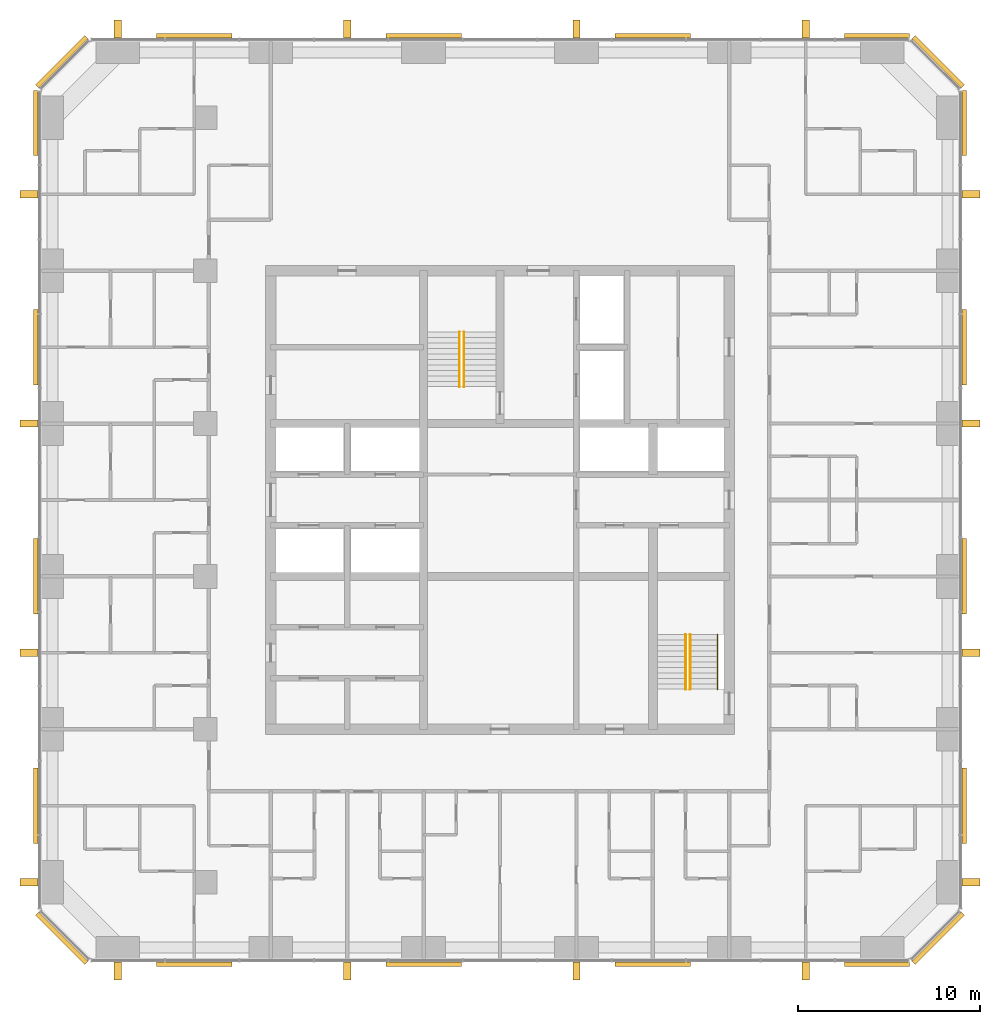
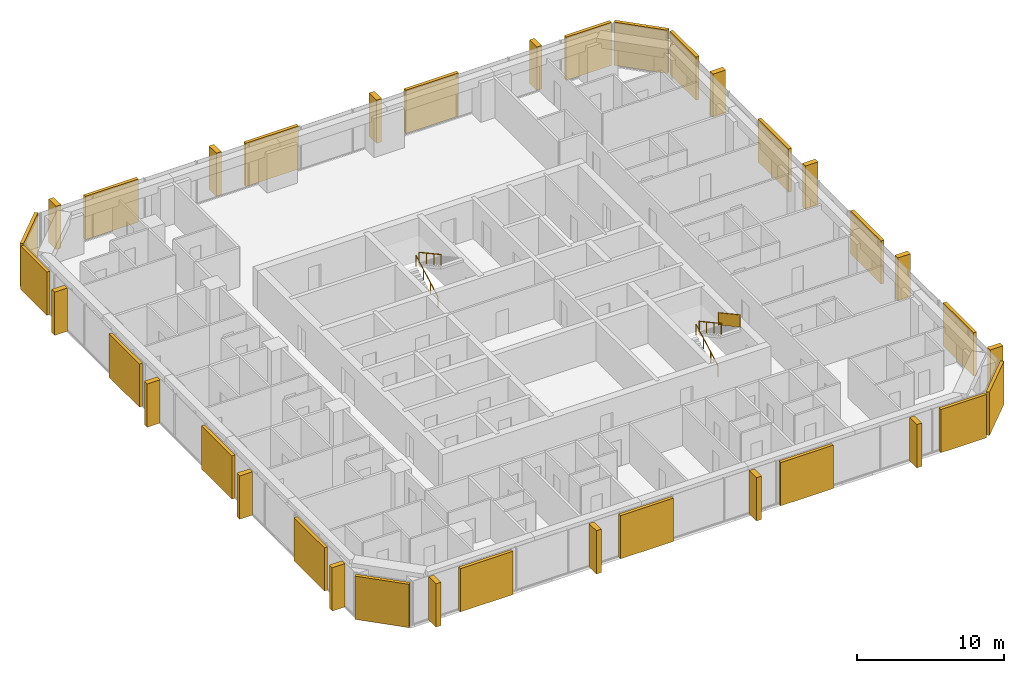
# One storey, part 14 of 14: 20 coverings, 16 shading devices, 5 railings.
"""IFC4 building model written with IfcOpenShell, lengths in metres."""

import ifcopenshell
import ifcopenshell.guid

model = None  # the IFC model being written
_history = None  # IfcOwnerHistory: only IFC2X3 demands one
_inside = {}  # id of a spatial element -> (the spatial element, [elements in it])
_under = {}  # id of a project, library or spatial element -> (it, [spatial elements below it])
_declared = {}  # id of a project -> (the project, [libraries it declares])
_typed = {}  # id of a type object -> (the type object, [elements of that type])
_made_of = {}  # id of a material, layer set ... -> (it, [elements and type objects made of it])


def new_model(schema):
    """Start an empty IFC model of exactly this schema.

    Asked for "IFC4X3", IfcOpenShell would pick the latest addendum, in which some entities
    have other attributes; the version numbers below select the first issue.
    IFC2X3 requires an IfcOwnerHistory on every rooted entity: one is made here for all.
    """
    global model, _history
    if schema == "IFC4X3":
        model = ifcopenshell.file(schema_version=(4, 3, 0, 0))
    else:
        model = ifcopenshell.file(schema=schema)
    _inside.clear()
    _under.clear()
    _declared.clear()
    _typed.clear()
    _made_of.clear()
    _history = None
    if model.schema == "IFC2X3":
        org = make("IfcOrganization", Name="unknown")
        user = make(
            "IfcPersonAndOrganization",
            ThePerson=make("IfcPerson", FamilyName="unknown"),
            TheOrganization=org,
        )
        app = make(
            "IfcApplication",
            ApplicationDeveloper=org,
            Version="unknown",
            ApplicationFullName="unknown",
            ApplicationIdentifier="unknown",
        )
        _history = make(
            "IfcOwnerHistory",
            OwningUser=user,
            OwningApplication=app,
            ChangeAction="ADDED",
            CreationDate=0,
        )
    return model


def make(cls, **values):
    """One entity of the class cls with the attributes given. An attribute that is None is left unset."""
    return model.create_entity(
        cls, **{name: value for name, value in values.items() if value is not None}
    )


def rooted(cls, **values):
    """An entity with a GlobalId (a new one), such as an element, a storey or a relation."""
    return make(cls, GlobalId=ifcopenshell.guid.new(), OwnerHistory=_history, **values)


def si_unit(unit_type, name, prefix=None):
    """IfcSIUnit, for example si_unit("LENGTHUNIT", "METRE", prefix="MILLI")."""
    return make("IfcSIUnit", UnitType=unit_type, Prefix=prefix, Name=name)


def assignment(units):
    """IfcUnitAssignment: the units of a project."""
    return None if units is None else make("IfcUnitAssignment", Units=units)


def point(xyz):
    """IfcCartesianPoint."""
    return None if xyz is None else make("IfcCartesianPoint", Coordinates=xyz)


def direction(xyz):
    """IfcDirection."""
    return None if xyz is None else make("IfcDirection", DirectionRatios=xyz)


def frame(location, z_axis=None, x_axis=None):
    """IfcAxis2Placement3D, a coordinate frame: its origin and axes. An axis left out is left unset."""
    return make(
        "IfcAxis2Placement3D",
        Location=point(location),
        Axis=direction(z_axis),
        RefDirection=direction(x_axis),
    )


def frame_2d(location, x_axis=None):
    """IfcAxis2Placement2D, a coordinate frame in the plane: its origin and x axis."""
    return make(
        "IfcAxis2Placement2D", Location=point(location), RefDirection=direction(x_axis)
    )


def origin():
    """The frame at (0, 0, 0) with its axes left unset."""
    return frame((0.0, 0.0, 0.0))


def origin_2d():
    """The frame at (0, 0) in the plane with its x axis left unset."""
    return frame_2d((0.0, 0.0))


def place(relative_to, where):
    """IfcLocalPlacement: puts the frame where relative to a parent placement (None: the world)."""
    return make(
        "IfcLocalPlacement", PlacementRelTo=relative_to, RelativePlacement=where
    )


def context(
    kind, dimensions, precision=None, world=None, true_north=None, identifier=None
):
    """IfcGeometricRepresentationContext, for example the 3D "Model" context."""
    return make(
        "IfcGeometricRepresentationContext",
        ContextIdentifier=identifier,
        ContextType=kind,
        CoordinateSpaceDimension=dimensions,
        Precision=precision,
        WorldCoordinateSystem=world,
        TrueNorth=true_north,
    )


def subcontext(parent, identifier, kind, view, scale=None):
    """IfcGeometricRepresentationSubContext, for example "Body" below "Model"."""
    return make(
        "IfcGeometricRepresentationSubContext",
        ContextIdentifier=identifier,
        ContextType=kind,
        ParentContext=parent,
        TargetScale=scale,
        TargetView=view,
    )


def project(units=None, contexts=None):
    """IfcProject with its units and contexts."""
    return rooted(
        "IfcProject",
        Name="project",
        RepresentationContexts=contexts,
        UnitsInContext=assignment(units),
    )


def spatial(cls, under=None, at=None, **own):
    """A site, building, storey or space (cls), placed at a placement, below another one or the project."""
    s = rooted(cls, ObjectPlacement=at, **own)
    if under is not None:
        _under.setdefault(under.id(), (under, []))[1].append(s)
    return s


def polyline(points):
    """IfcPolyline through the points."""
    return make("IfcPolyline", Points=[point(p) for p in points])


def profile(cls, at=None, kind="AREA", **sizes):
    """A parametric profile (cls). Its sizes go by their IFC names, for example OverallWidth=200.0."""
    return make(cls, ProfileType=kind, Position=at, **sizes)


def rectangle(**sizes):
    """IfcRectangleProfileDef."""
    return profile("IfcRectangleProfileDef", **sizes)


def circle(**sizes):
    """IfcCircleProfileDef."""
    return profile("IfcCircleProfileDef", **sizes)


def outline(outer, holes=None, kind="AREA"):
    """IfcArbitraryClosedProfileDef: a profile drawn as a closed curve; with holes, ...WithVoids."""
    if holes is None:
        return make("IfcArbitraryClosedProfileDef", ProfileType=kind, OuterCurve=outer)
    return make(
        "IfcArbitraryProfileDefWithVoids",
        ProfileType=kind,
        OuterCurve=outer,
        InnerCurves=holes,
    )


def extrude(swept, where, along, depth):
    """IfcExtrudedAreaSolid: the profile swept, set in the frame where, extruded along a direction by depth."""
    return make(
        "IfcExtrudedAreaSolid",
        SweptArea=swept,
        Position=where,
        ExtrudedDirection=direction(along),
        Depth=depth,
    )


def shape(context_of_items, identifier, shape_type, items):
    """IfcShapeRepresentation: the items that make up one representation, for example the "Body"."""
    return make(
        "IfcShapeRepresentation",
        ContextOfItems=context_of_items,
        RepresentationIdentifier=identifier,
        RepresentationType=shape_type,
        Items=items,
    )


def material(Name=None, Category=None):
    """IfcMaterial."""
    return make("IfcMaterial", Name=Name, Category=Category)


def layer(
    of_material, thickness, ventilated=None, Name=None, Category=None, Priority=None
):
    """IfcMaterialLayer: one layer of a wall or slab, of a material (None: an air gap)."""
    return make(
        "IfcMaterialLayer",
        Material=of_material,
        LayerThickness=thickness,
        IsVentilated=ventilated,
        Name=Name,
        Category=Category,
        Priority=Priority,
    )


def layer_set(layers, Name=None):
    """IfcMaterialLayerSet."""
    return make("IfcMaterialLayerSet", MaterialLayers=layers, LayerSetName=Name)


def made_of(thing, what):
    """Note that an element or type object is made of a material, layer set ...; save() writes the relation."""
    if what is not None:
        _made_of.setdefault(what.id(), (what, []))[1].append(thing)
    return thing


def type_object(cls, material=None, **own):
    """A type object (cls), such as IfcWallType, which elements share."""
    return made_of(rooted(cls, **own), material)


def element(
    cls,
    number,
    at=None,
    inside=None,
    cuts=None,
    type_object=None,
    material=None,
    context=None,
    identifier="Body",
    shape_type=None,
    held_by="IfcProductDefinitionShape",
    body=None,
    shapes=None,
    **own,
):
    """One element of the class cls, such as IfcWall. Its Tag is "e" and its number.

    at: its placement. inside: the storey or other place that contains it. cuts: it is an
    opening in that element (IfcRelVoidsElement). A single representation is given by context,
    identifier, shape_type and body (its items); several are given by shapes. held_by: the class
    of the entity that holds the representations. save() writes the other relations.
    """
    e = rooted(cls, Tag="e%d" % number, ObjectPlacement=at, **own)
    if body is not None:
        shapes = [shape(context, identifier, shape_type, body)]
    if shapes is not None:
        e.Representation = make(held_by, Representations=shapes)
    if inside is not None:
        _inside.setdefault(inside.id(), (inside, []))[1].append(e)
    if cuts is not None:
        rooted(
            "IfcRelVoidsElement", RelatingBuildingElement=cuts, RelatedOpeningElement=e
        )
    if type_object is not None:
        _typed.setdefault(type_object.id(), (type_object, []))[1].append(e)
    return made_of(e, material)


def aggregate(whole, parts):
    """IfcRelAggregates: a whole, such as a stair, and the parts it consists of."""
    return rooted("IfcRelAggregates", RelatingObject=whole, RelatedObjects=parts)


def save(model, path):
    """Write the relations noted so far, then the file.

    IfcRelAggregates (storeys below a building ...), IfcRelContainedInSpatialStructure (elements
    in a storey), IfcRelDefinesByType, IfcRelAssociatesMaterial and IfcRelDeclares: one each for
    every whole, place, type object, material and project.
    """
    for whole, parts in _under.values():
        aggregate(whole, parts)
    for where, things in _inside.values():
        rooted(
            "IfcRelContainedInSpatialStructure",
            RelatedElements=things,
            RelatingStructure=where,
        )
    for kind, things in _typed.values():
        rooted("IfcRelDefinesByType", RelatedObjects=things, RelatingType=kind)
    for what, things in _made_of.values():
        rooted("IfcRelAssociatesMaterial", RelatedObjects=things, RelatingMaterial=what)
    for by, libraries in _declared.values():
        rooted("IfcRelDeclares", RelatingContext=by, RelatedDefinitions=libraries)
    model.write(path)


model = new_model("IFC4")

# Units and contexts
model_context = context("Model", 3, precision=1e-05, world=origin(), true_north=direction((0.0, 1.0)))
body_context = subcontext(model_context, "Body", "Model", "MODEL_VIEW")
ifc_project = project(units=[si_unit("LENGTHUNIT", "METRE"), si_unit("AREAUNIT", "SQUARE_METRE"), si_unit("VOLUMEUNIT", "CUBIC_METRE"), si_unit("PLANEANGLEUNIT", "RADIAN"), si_unit("MASSUNIT", "GRAM", prefix="KILO")], contexts=[model_context])

# Site, building, storey
site_placement = place(None, origin())
site = spatial("IfcSite", under=ifc_project, at=site_placement, CompositionType="ELEMENT")
building_placement = place(site_placement, origin())
building = spatial("IfcBuilding", under=site, at=building_placement, Name="Dunama Terrace Hotel", CompositionType="ELEMENT")
storey_placement = place(building_placement, frame((0.0, 0.0, 202.199951171875)))
storey = spatial("IfcBuildingStorey", under=building, at=storey_placement, Name="L52", CompositionType="ELEMENT", Elevation=202.199951171875)

# Railings
ifc_material_1 = material(Name="Stainless steel and laminated glass guard", Category="steel")
railing_type_1 = type_object("IfcRailingType", Name="Guard 1100", PredefinedType="GUARDRAIL", material=ifc_material_1)
railing_1_placement = place(storey_placement, frame((41.35009765625, 22.0, 1.963623046875)))
element("IfcRailing", 1, at=railing_1_placement, inside=storey, type_object=railing_type_1, Name="Stair guard ST2 L52", PredefinedType="GUARDRAIL", context=body_context, shape_type="SweptSolid", body=[
    extrude(circle(Radius=0.02392578125, at=origin_2d()), frame((0.0, 0.0, 1.076171875), z_axis=(0.0, -0.877881921179, 0.478877158013), x_axis=(1.0, 0.0, 0.0)), (0.0, 0.0, 1.0), 3.417236328125),
    extrude(circle(Radius=0.02099609375, at=origin_2d()), origin(), (0.0, 0.0, 1.0), 1.052001953125),
    extrude(circle(Radius=0.02099609375, at=origin_2d()), frame((0.0, -1.0, 0.54541015625)), (0.0, 0.0, 1.0), 1.052001953125),
    extrude(circle(Radius=0.02099609375, at=origin_2d()), frame((0.0, -2.0, 1.091064453125)), (0.0, 0.0, 1.0), 1.052001953125),
    extrude(circle(Radius=0.02099609375, at=origin_2d()), frame((0.0, -3.0, 1.636474609375)), (0.0, 0.0, 1.0), 1.052001953125),
    extrude(outline(polyline([(0.0048828125, 0.052734375), (0.9951171875, 0.5927734375), (0.9951171875, 1.618896484375), (0.0048828125, 1.07861328125), (0.0048828125, 0.052734375)])), frame((0.0087890625, 0.0, 0.0), z_axis=(-1.0, 0.0, 0.0), x_axis=(0.0, -1.0, 0.0)), (0.0, 0.0, 1.0), 0.017578125),
    extrude(outline(polyline([(0.0048828125, 0.052734375), (0.9951171875, 0.5927734375), (0.9951171875, 1.618896484375), (0.0048828125, 1.07861328125), (0.0048828125, 0.052734375)])), frame((0.0087890625, -1.0, 0.54541015625), z_axis=(-1.0, 0.0, 0.0), x_axis=(0.0, -1.0, 0.0)), (0.0, 0.0, 1.0), 0.017578125),
    extrude(outline(polyline([(0.0048828125, 0.052734375), (0.9951171875, 0.5927734375), (0.9951171875, 1.618896484375), (0.0048828125, 1.07861328125), (0.0048828125, 0.052734375)])), frame((0.0087890625, -2.0, 1.091064453125), z_axis=(-1.0, 0.0, 0.0), x_axis=(0.0, -1.0, 0.0)), (0.0, 0.0, 1.0), 0.017578125),
])
ifc_material_2 = material(Name="Stainless steel handrail", Category="steel")
railing_type_2 = type_object("IfcRailingType", Name="Stair handrail 900", PredefinedType="HANDRAIL", material=ifc_material_2)
railing_2_placement = place(storey_placement, frame((27.175048828125, 35.625, 0.16357421875)))
element("IfcRailing", 2, at=railing_2_placement, inside=storey, type_object=railing_type_2, Name="Handrail ST1 L52", PredefinedType="HANDRAIL", context=body_context, shape_type="SweptSolid", body=[
    extrude(circle(Radius=0.02392578125, at=origin_2d()), frame((0.0, 0.0, 0.8759765625), z_axis=(0.0, 0.877881921179, 0.478877158013), x_axis=(-1.0, 0.0, 0.0)), (0.0, 0.0, 1.0), 3.417236328125),
    extrude(circle(Radius=0.02099609375, at=origin_2d()), origin(), (0.0, 0.0, 1.0), 0.851806640625),
    extrude(circle(Radius=0.02099609375, at=origin_2d()), frame((0.0, 1.0, 0.54541015625)), (0.0, 0.0, 1.0), 0.851806640625),
    extrude(circle(Radius=0.02099609375, at=origin_2d()), frame((0.0, 2.0, 1.091064453125)), (0.0, 0.0, 1.0), 0.851806640625),
    extrude(circle(Radius=0.02099609375, at=origin_2d()), frame((0.0, 3.0, 1.636474609375)), (0.0, 0.0, 1.0), 0.851806640625),
])
railing_3_placement = place(storey_placement, frame((27.425048828125, 38.625, 1.963623046875)))
element("IfcRailing", 3, at=railing_3_placement, inside=storey, type_object=railing_type_2, Name="Handrail ST1 L52", PredefinedType="HANDRAIL", context=body_context, shape_type="SweptSolid", body=[
    extrude(circle(Radius=0.02392578125, at=origin_2d()), frame((0.0, 0.0, 0.8759765625), z_axis=(0.0, -0.877881921179, 0.478877158013), x_axis=(1.0, 0.0, 0.0)), (0.0, 0.0, 1.0), 3.417236328125),
    extrude(circle(Radius=0.02099609375, at=origin_2d()), origin(), (0.0, 0.0, 1.0), 0.851806640625),
    extrude(circle(Radius=0.02099609375, at=origin_2d()), frame((0.0, -1.0, 0.54541015625)), (0.0, 0.0, 1.0), 0.851806640625),
    extrude(circle(Radius=0.02099609375, at=origin_2d()), frame((0.0, -2.0, 1.091064453125)), (0.0, 0.0, 1.0), 0.851806640625),
    extrude(circle(Radius=0.02099609375, at=origin_2d()), frame((0.0, -3.0, 1.636474609375)), (0.0, 0.0, 1.0), 0.851806640625),
])
railing_4_placement = place(storey_placement, frame((39.60009765625, 19.0, 0.16357421875)))
element("IfcRailing", 4, at=railing_4_placement, inside=storey, type_object=railing_type_2, Name="Handrail ST2 L52", PredefinedType="HANDRAIL", context=body_context, shape_type="SweptSolid", body=[
    extrude(circle(Radius=0.02392578125, at=origin_2d()), frame((0.0, 0.0, 0.8759765625), z_axis=(0.0, 0.877881921179, 0.478877158013), x_axis=(-1.0, 0.0, 0.0)), (0.0, 0.0, 1.0), 3.417236328125),
    extrude(circle(Radius=0.02099609375, at=origin_2d()), origin(), (0.0, 0.0, 1.0), 0.851806640625),
    extrude(circle(Radius=0.02099609375, at=origin_2d()), frame((0.0, 1.0, 0.54541015625)), (0.0, 0.0, 1.0), 0.851806640625),
    extrude(circle(Radius=0.02099609375, at=origin_2d()), frame((0.0, 2.0, 1.091064453125)), (0.0, 0.0, 1.0), 0.851806640625),
    extrude(circle(Radius=0.02099609375, at=origin_2d()), frame((0.0, 3.0, 1.636474609375)), (0.0, 0.0, 1.0), 0.851806640625),
])
railing_5_placement = place(storey_placement, frame((39.85009765625, 22.0, 1.963623046875)))
element("IfcRailing", 5, at=railing_5_placement, inside=storey, type_object=railing_type_2, Name="Handrail ST2 L52", PredefinedType="HANDRAIL", context=body_context, shape_type="SweptSolid", body=[
    extrude(circle(Radius=0.02392578125, at=origin_2d()), frame((0.0, 0.0, 0.8759765625), z_axis=(0.0, -0.877881921179, 0.478877158013), x_axis=(1.0, 0.0, 0.0)), (0.0, 0.0, 1.0), 3.417236328125),
    extrude(circle(Radius=0.02099609375, at=origin_2d()), origin(), (0.0, 0.0, 1.0), 0.851806640625),
    extrude(circle(Radius=0.02099609375, at=origin_2d()), frame((0.0, -1.0, 0.54541015625)), (0.0, 0.0, 1.0), 0.851806640625),
    extrude(circle(Radius=0.02099609375, at=origin_2d()), frame((0.0, -2.0, 1.091064453125)), (0.0, 0.0, 1.0), 0.851806640625),
    extrude(circle(Radius=0.02099609375, at=origin_2d()), frame((0.0, -3.0, 1.636474609375)), (0.0, 0.0, 1.0), 0.851806640625),
])

# Coverings
ifc_material_3 = material(Name="Warm reconstituted stone panel", Category="masonry")
ifc_layer_1 = layer(ifc_material_3, 0.25)
ifc_layer_set_1 = layer_set([ifc_layer_1], Name="Stone diagonal panel")
covering_type = type_object("IfcCoveringType", Name="Stone diagonal panel", PredefinedType="CLADDING", material=ifc_layer_set_1)
for number, where, z_axis, x_axis, name in (
    (6, (12.60009765625, 3.876953125, 0.001953125), (0.0, 0.0, 1.0), (1.0, 0.0, 0.0), "Stone diagonal panel L52"),
    (7, (25.199951171875, 3.876953125, 0.001953125), (0.0, 0.0, 1.0), (1.0, 0.0, 0.0), "Stone diagonal panel L52"),
    (8, (37.800048828125, 3.876953125, 0.001953125), (0.0, 0.0, 1.0), (1.0, 0.0, 0.0), "Stone diagonal panel L52"),
):
    element("IfcCovering", number, at=place(storey_placement, frame(where, z_axis=z_axis, x_axis=x_axis)), inside=storey, type_object=covering_type, Name=name, PredefinedType="CLADDING", context=body_context, shape_type="SweptSolid", body=[
        extrude(rectangle(XDim=4.14990234375, YDim=0.25, at=origin_2d()), origin(), (0.0, 0.0, 1.0), 3.595947265625),
    ])
covering_1_placement = place(storey_placement, frame((50.110107421875, 3.876953125, 0.001953125), z_axis=(0.0, 0.0, 1.0), x_axis=(1.0, 0.0, 0.0)))
element("IfcCovering", 9, at=covering_1_placement, inside=storey, type_object=covering_type, Name="Stone diagonal panel L52", PredefinedType="CLADDING", context=body_context, shape_type="SweptSolid", body=[
    extrude(rectangle(XDim=3.570068359375, YDim=0.25, at=origin_2d()), origin(), (0.0, 0.0, 1.0), 3.595947265625),
])
covering_2_placement = place(storey_placement, frame((53.47900390625, 5.321044921875, 0.001953125), z_axis=(0.0, 0.0, 1.0), x_axis=(0.707106781187, 0.707106781187, 0.0)))
element("IfcCovering", 10, at=covering_2_placement, inside=storey, type_object=covering_type, Name="Stone diagonal panel L52", PredefinedType="CLADDING", context=body_context, shape_type="SweptSolid", body=[
    extrude(rectangle(XDim=3.808349609375, YDim=0.25, at=origin_2d()), origin(), (0.0, 0.0, 1.0), 3.595947265625),
])
for number, where, z_axis, x_axis, name in (
    (11, (54.923095703125, 12.60009765625, 0.001953125), (0.0, 0.0, 1.0), (0.0, 1.0, 0.0), "Stone diagonal panel L52"),
    (12, (54.923095703125, 25.199951171875, 0.001953125), (0.0, 0.0, 1.0), (0.0, 1.0, 0.0), "Stone diagonal panel L52"),
    (13, (54.923095703125, 37.800048828125, 0.001953125), (0.0, 0.0, 1.0), (0.0, 1.0, 0.0), "Stone diagonal panel L52"),
):
    element("IfcCovering", number, at=place(storey_placement, frame(where, z_axis=z_axis, x_axis=x_axis)), inside=storey, type_object=covering_type, Name=name, PredefinedType="CLADDING", context=body_context, shape_type="SweptSolid", body=[
        extrude(rectangle(XDim=4.14990234375, YDim=0.25, at=origin_2d()), origin(), (0.0, 0.0, 1.0), 3.595947265625),
    ])
covering_3_placement = place(storey_placement, frame((54.923095703125, 50.110107421875, 0.001953125), z_axis=(0.0, 0.0, 1.0), x_axis=(0.0, 1.0, 0.0)))
element("IfcCovering", 14, at=covering_3_placement, inside=storey, type_object=covering_type, Name="Stone diagonal panel L52", PredefinedType="CLADDING", context=body_context, shape_type="SweptSolid", body=[
    extrude(rectangle(XDim=3.570068359375, YDim=0.25, at=origin_2d()), origin(), (0.0, 0.0, 1.0), 3.595947265625),
])
covering_4_placement = place(storey_placement, frame((53.47900390625, 53.47900390625, 0.001953125), z_axis=(0.0, 0.0, 1.0), x_axis=(-0.707106781187, 0.707106781187, 0.0)))
element("IfcCovering", 15, at=covering_4_placement, inside=storey, type_object=covering_type, Name="Stone diagonal panel L52", PredefinedType="CLADDING", context=body_context, shape_type="SweptSolid", body=[
    extrude(rectangle(XDim=3.808349609375, YDim=0.25, at=origin_2d()), origin(), (0.0, 0.0, 1.0), 3.595947265625),
])
covering_5_placement = place(storey_placement, frame((50.110107421875, 54.923095703125, 0.001953125), z_axis=(0.0, 0.0, 1.0), x_axis=(-1.0, 0.0, 0.0)))
element("IfcCovering", 16, at=covering_5_placement, inside=storey, type_object=covering_type, Name="Stone diagonal panel L52", PredefinedType="CLADDING", context=body_context, shape_type="SweptSolid", body=[
    extrude(rectangle(XDim=3.570068359375, YDim=0.25, at=origin_2d()), origin(), (0.0, 0.0, 1.0), 3.595947265625),
])
for number, where, z_axis, x_axis, name in (
    (17, (37.800048828125, 54.923095703125, 0.001953125), (0.0, 0.0, 1.0), (-1.0, 0.0, 0.0), "Stone diagonal panel L52"),
    (18, (25.199951171875, 54.923095703125, 0.001953125), (0.0, 0.0, 1.0), (-1.0, 0.0, 0.0), "Stone diagonal panel L52"),
    (19, (12.60009765625, 54.923095703125, 0.001953125), (0.0, 0.0, 1.0), (-1.0, 0.0, 0.0), "Stone diagonal panel L52"),
):
    element("IfcCovering", number, at=place(storey_placement, frame(where, z_axis=z_axis, x_axis=x_axis)), inside=storey, type_object=covering_type, Name=name, PredefinedType="CLADDING", context=body_context, shape_type="SweptSolid", body=[
        extrude(rectangle(XDim=4.14990234375, YDim=0.25, at=origin_2d()), origin(), (0.0, 0.0, 1.0), 3.595947265625),
    ])
covering_6_placement = place(storey_placement, frame((5.321044921875, 53.47900390625, 0.001953125), z_axis=(0.0, 0.0, 1.0), x_axis=(-0.707106781187, -0.707106781187, 0.0)))
element("IfcCovering", 20, at=covering_6_placement, inside=storey, type_object=covering_type, Name="Stone diagonal panel L52", PredefinedType="CLADDING", context=body_context, shape_type="SweptSolid", body=[
    extrude(rectangle(XDim=3.808349609375, YDim=0.25, at=origin_2d()), origin(), (0.0, 0.0, 1.0), 3.595947265625),
])
covering_7_placement = place(storey_placement, frame((3.876953125, 50.110107421875, 0.001953125), z_axis=(0.0, 0.0, 1.0), x_axis=(0.0, -1.0, 0.0)))
element("IfcCovering", 21, at=covering_7_placement, inside=storey, type_object=covering_type, Name="Stone diagonal panel L52", PredefinedType="CLADDING", context=body_context, shape_type="SweptSolid", body=[
    extrude(rectangle(XDim=3.570068359375, YDim=0.25, at=origin_2d()), origin(), (0.0, 0.0, 1.0), 3.595947265625),
])
for number, where, z_axis, x_axis, name in (
    (22, (3.876953125, 37.800048828125, 0.001953125), (0.0, 0.0, 1.0), (0.0, -1.0, 0.0), "Stone diagonal panel L52"),
    (23, (3.876953125, 25.199951171875, 0.001953125), (0.0, 0.0, 1.0), (0.0, -1.0, 0.0), "Stone diagonal panel L52"),
    (24, (3.876953125, 12.60009765625, 0.001953125), (0.0, 0.0, 1.0), (0.0, -1.0, 0.0), "Stone diagonal panel L52"),
):
    element("IfcCovering", number, at=place(storey_placement, frame(where, z_axis=z_axis, x_axis=x_axis)), inside=storey, type_object=covering_type, Name=name, PredefinedType="CLADDING", context=body_context, shape_type="SweptSolid", body=[
        extrude(rectangle(XDim=4.14990234375, YDim=0.25, at=origin_2d()), origin(), (0.0, 0.0, 1.0), 3.595947265625),
    ])
covering_8_placement = place(storey_placement, frame((5.321044921875, 5.321044921875, 0.001953125), z_axis=(0.0, 0.0, 1.0), x_axis=(0.707106781187, -0.707106781187, 0.0)))
element("IfcCovering", 25, at=covering_8_placement, inside=storey, type_object=covering_type, Name="Stone diagonal panel L52", PredefinedType="CLADDING", context=body_context, shape_type="SweptSolid", body=[
    extrude(rectangle(XDim=3.808349609375, YDim=0.25, at=origin_2d()), origin(), (0.0, 0.0, 1.0), 3.595947265625),
])

# Shading devices
ifc_material_4 = material(Name="Warm reconstituted stone fin", Category="masonry")
ifc_layer_2 = layer(ifc_material_4, 0.39990234375)
ifc_layer_set_2 = layer_set([ifc_layer_2], Name="Warm stone fin 400x1000")
shading_device_type = type_object("IfcShadingDeviceType", Name="Warm stone fin 400x1000", PredefinedType="USERDEFINED", material=ifc_layer_set_2)
for number, where, z_axis, x_axis, name in (
    (26, (8.39990234375, 3.52197265625, 0.0), (0.0, 0.0, 1.0), (1.0, 0.0, 0.0), "Stone fin"),
    (27, (21.0, 3.52197265625, 0.0), (0.0, 0.0, 1.0), (1.0, 0.0, 0.0), "Stone fin"),
    (28, (33.60009765625, 3.52197265625, 0.0), (0.0, 0.0, 1.0), (1.0, 0.0, 0.0), "Stone fin"),
    (29, (46.199951171875, 3.52197265625, 0.0), (0.0, 0.0, 1.0), (1.0, 0.0, 0.0), "Stone fin"),
    (30, (55.278076171875, 8.39990234375, 0.0), (0.0, 0.0, 1.0), (0.0, 1.0, 0.0), "Stone fin"),
    (31, (55.278076171875, 21.0, 0.0), (0.0, 0.0, 1.0), (0.0, 1.0, 0.0), "Stone fin"),
    (32, (55.278076171875, 33.60009765625, 0.0), (0.0, 0.0, 1.0), (0.0, 1.0, 0.0), "Stone fin"),
    (33, (55.278076171875, 46.199951171875, 0.0), (0.0, 0.0, 1.0), (0.0, 1.0, 0.0), "Stone fin"),
    (34, (46.199951171875, 55.278076171875, 0.0), (0.0, 0.0, 1.0), (-1.0, 0.0, 0.0), "Stone fin"),
    (35, (33.60009765625, 55.278076171875, 0.0), (0.0, 0.0, 1.0), (-1.0, 0.0, 0.0), "Stone fin"),
    (36, (21.0, 55.278076171875, 0.0), (0.0, 0.0, 1.0), (-1.0, 0.0, 0.0), "Stone fin"),
    (37, (8.39990234375, 55.278076171875, 0.0), (0.0, 0.0, 1.0), (-1.0, 0.0, 0.0), "Stone fin"),
    (38, (3.52197265625, 46.199951171875, 0.0), (0.0, 0.0, 1.0), (0.0, -1.0, 0.0), "Stone fin"),
    (39, (3.52197265625, 33.60009765625, 0.0), (0.0, 0.0, 1.0), (0.0, -1.0, 0.0), "Stone fin"),
    (40, (3.52197265625, 21.0, 0.0), (0.0, 0.0, 1.0), (0.0, -1.0, 0.0), "Stone fin"),
    (41, (3.52197265625, 8.39990234375, 0.0), (0.0, 0.0, 1.0), (0.0, -1.0, 0.0), "Stone fin"),
):
    element("IfcShadingDevice", number, at=place(storey_placement, frame(where, z_axis=z_axis, x_axis=x_axis)), inside=storey, type_object=shading_device_type, Name=name, ObjectType="FIN", PredefinedType="USERDEFINED", context=body_context, shape_type="SweptSolid", body=[
        extrude(rectangle(XDim=0.39990234375, YDim=1.0, at=origin_2d()), origin(), (0.0, 0.0, 1.0), 3.60009765625),
    ])

save(model, "model.ifc")
